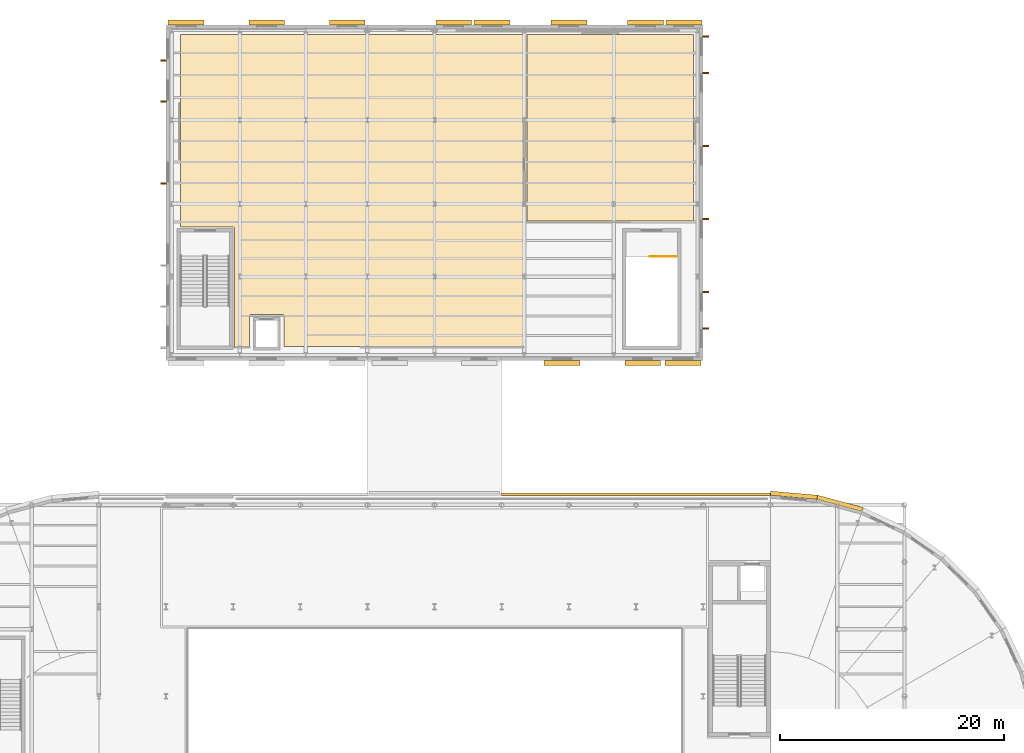
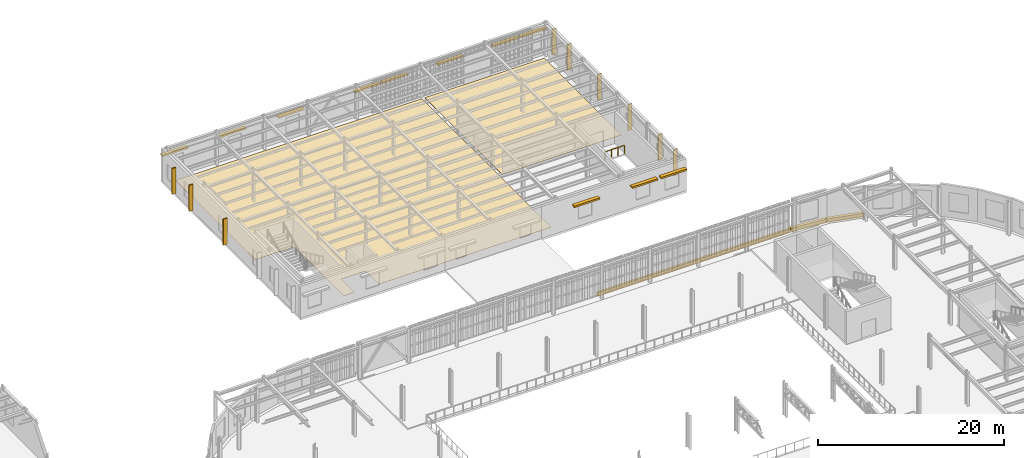
# One storey, part 88 of 91: 20 shading devices, 5 coverings, 1 railing.
"""IFC4 building model written with IfcOpenShell, lengths in metres."""

from ifc_helpers import new_model, si_unit, direction, frame, origin, origin_2d, place, context, subcontext, project, spatial, polyline, rectangle, circle, outline, extrude, material, layer, layer_set, type_object, element, save


model = new_model("IFC4")

# Units and contexts
model_context = context("Model", 3, precision=1e-05, world=origin(), true_north=direction((0.0, 1.0)))
body_context = subcontext(model_context, "Body", "Model", "MODEL_VIEW")
ifc_project = project(units=[si_unit("LENGTHUNIT", "METRE"), si_unit("AREAUNIT", "SQUARE_METRE"), si_unit("VOLUMEUNIT", "CUBIC_METRE"), si_unit("PLANEANGLEUNIT", "RADIAN"), si_unit("MASSUNIT", "GRAM", prefix="KILO")], contexts=[model_context])

# Site, building, storey
site_placement = place(None, origin())
site = spatial("IfcSite", under=ifc_project, at=site_placement, CompositionType="ELEMENT")
building_placement = place(site_placement, origin())
building = spatial("IfcBuilding", under=site, at=building_placement, Name="Kolvaren Corner Interchange", CompositionType="ELEMENT")
storey_placement = place(building_placement, frame((0.0, 0.0, 6.0)))
storey = spatial("IfcBuildingStorey", under=building, at=storey_placement, Name="L02", CompositionType="ELEMENT", Elevation=6.0)

# Coverings
ifc_material_1 = material(Name="Anti-Slip Heavy-Duty Epoxy Resin Flooring")
ifc_layer_1 = layer(ifc_material_1, 0.01806640625)
ifc_layer_set_1 = layer_set([ifc_layer_1], Name="Anti-Slip Heavy-Duty Epoxy Resin Flooring")
covering_type_1 = type_object("IfcCoveringType", Name="COV-FLR-RES18", PredefinedType="FLOORING", material=ifc_layer_set_1)
covering_1_placement = place(storey_placement, origin())
element("IfcCovering", 1, at=covering_1_placement, inside=storey, type_object=covering_type_1, Name="L02 Upper Cycle Storage Mezzanine Floor Finish", PredefinedType="FLOORING", context=body_context, shape_type="SweptSolid", body=[
    extrude(outline(polyline([(67.280029296875, 113.1201171875), (67.280029296875, 95.929931640625), (72.050048828125, 95.929931640625), (72.094482421875, 95.91650390625), (72.123779296875, 95.880615234375), (72.1298828125, 85.280029296875), (73.469970703125, 85.280029296875), (73.469970703125, 88.050048828125), (73.505615234375, 88.116455078125), (73.550048828125, 88.1298828125), (76.449951171875, 88.1298828125), (76.506591796875, 88.106689453125), (76.530029296875, 88.050048828125), (76.530029296875, 85.280029296875), (97.919921875, 85.280029296875), (97.919921875, 113.1201171875), (67.280029296875, 113.1201171875)])), origin(), (0.0, 0.0, 1.0), 0.01806640625),
])
ifc_material_2 = material(Name="Polished Niger Delta Granite Terrazzo Flooring", Category="masonry")
ifc_layer_2 = layer(ifc_material_2, 0.030029296875)
ifc_layer_set_2 = layer_set([ifc_layer_2], Name="Polished Niger Delta Granite Terrazzo Flooring")
covering_type_2 = type_object("IfcCoveringType", Name="COV-FLR-TER30", PredefinedType="FLOORING", material=ifc_layer_set_2)
covering_2_placement = place(storey_placement, origin())
element("IfcCovering", 2, at=covering_2_placement, inside=storey, type_object=covering_type_2, Name="L02 E-Bike Charging Lounge Floor Finish", PredefinedType="FLOORING", context=body_context, shape_type="SweptSolid", body=[
    extrude(outline(polyline([(98.280029296875, 96.47998046875), (113.1201171875, 96.47998046875), (113.1201171875, 113.1201171875), (98.280029296875, 113.1201171875), (98.280029296875, 96.47998046875)])), origin(), (0.0, 0.0, 1.0), 0.030029296875),
])
ifc_material_3 = material(Name="Glazed White Terracotta Fascia Cladding", Category="masonry")
ifc_layer_3 = layer(ifc_material_3, 0.0400390625)
ifc_layer_set_3 = layer_set([ifc_layer_3], Name="Glazed White Terracotta Fascia Cladding")
covering_type_3 = type_object("IfcCoveringType", Name="COV-WHT-CLAD40", PredefinedType="CLADDING", material=ifc_layer_set_3)
covering_3_placement = place(storey_placement, frame((0.0, 0.0, -0.320068359375)))
element("IfcCovering", 3, at=covering_3_placement, inside=storey, type_object=covering_type_3, Name="Racetrack North East L02 White Band", PredefinedType="CLADDING", context=body_context, shape_type="SweptSolid", body=[
    extrude(outline(polyline([(96.0, 71.93994140625), (120.0, 71.93994140625), (120.0, 72.179931640625), (96.0, 72.179931640625), (96.0, 71.93994140625)])), origin(), (0.0, 0.0, 1.0), 0.5),
])
covering_4_placement = place(storey_placement, frame((0.0, 0.0, -0.320068359375)))
element("IfcCovering", 4, at=covering_4_placement, inside=storey, type_object=covering_type_3, Name="Racetrack East L02 Sweeping White Edge Band 17", PredefinedType="CLADDING", context=body_context, shape_type="SweptSolid", body=[
    extrude(outline(polyline([(128.19482421875, 70.514892578125), (128.32470703125, 70.8720703125), (124.2265625, 71.97021484375), (124.16064453125, 71.595947265625), (128.19482421875, 70.514892578125)])), origin(), (0.0, 0.0, 1.0), 0.5),
])
covering_5_placement = place(storey_placement, frame((0.0, 0.0, -0.320068359375)))
element("IfcCovering", 5, at=covering_5_placement, inside=storey, type_object=covering_type_3, Name="Racetrack East L02 Sweeping White Edge Band 18", PredefinedType="CLADDING", context=body_context, shape_type="SweptSolid", body=[
    extrude(outline(polyline([(124.16064453125, 71.595947265625), (124.2265625, 71.97021484375), (120.0, 72.340087890625), (120.0, 71.9599609375), (124.16064453125, 71.595947265625)])), origin(), (0.0, 0.0, 1.0), 0.5),
])

# Railing
ifc_material_4 = material(Name="Powder-Coated Steel Stairwell Guardrail", Category="steel")
railing_type = type_object("IfcRailingType", Name="RLT-STAIR-GRD1120", PredefinedType="GUARDRAIL", material=ifc_material_4)
railing_placement = place(storey_placement, frame((111.639892578125, 93.31005859375, 0.0)))
element("IfcRailing", 6, at=railing_placement, inside=storey, type_object=railing_type, Name="Cycle Hub East Mezzanine Exit Stair L02 Landing Edge Guardrail", PredefinedType="GUARDRAIL", context=body_context, shape_type="SweptSolid", body=[
    extrude(circle(Radius=0.02392578125, at=origin_2d()), frame((0.0, 0.0, 1.09619140625), z_axis=(-1.0, 0.0, 0.0), x_axis=(0.0, -1.0, 0.0)), (0.0, 0.0, 1.0), 2.3798828125),
    extrude(circle(Radius=0.02001953125, at=origin_2d()), origin(), (0.0, 0.0, 1.0), 1.072021484375),
    extrude(circle(Radius=0.02001953125, at=origin_2d()), frame((-0.793212890625, 0.0, 0.0)), (0.0, 0.0, 1.0), 1.072021484375),
    extrude(circle(Radius=0.02001953125, at=origin_2d()), frame((-1.586669921875, 0.0, 0.0)), (0.0, 0.0, 1.0), 1.072021484375),
    extrude(circle(Radius=0.02001953125, at=origin_2d()), frame((-2.3798828125, 0.0, 0.0)), (0.0, 0.0, 1.0), 1.072021484375),
])

# Shading devices
ifc_material_5 = material(Name="Glazed Ochre Ceramic Baguette Solar Louvre")
shading_device_type_1 = type_object("IfcShadingDeviceType", Name="SHD-BAG-H450", PredefinedType="JALOUSIE", material=ifc_material_5)
for number, where, z_axis, x_axis, name in (
    (7, (101.39990234375, 83.7900390625, 2.93017578125), (0.0, 0.0, 1.0), (1.0, 0.0, 0.0), "L02 Ceramic Solar Shading 0268"),
    (8, (108.60009765625, 83.7900390625, 2.93017578125), (0.0, 0.0, 1.0), (1.0, 0.0, 0.0), "L02 Ceramic Solar Shading 0269"),
    (9, (112.199951171875, 83.7900390625, 2.93017578125), (0.0, 0.0, 1.0), (1.0, 0.0, 0.0), "L02 Ceramic Solar Shading 0270"),
    (10, (112.28564453125, 114.2099609375, 2.93017578125), (0.0, 0.0, 1.0), (-1.0, 0.0, 0.0), "L02 Ceramic Solar Shading 0279"),
    (11, (108.857177734375, 114.2099609375, 2.93017578125), (0.0, 0.0, 1.0), (-1.0, 0.0, 0.0), "L02 Ceramic Solar Shading 0280"),
    (12, (102.0, 114.2099609375, 2.93017578125), (0.0, 0.0, 1.0), (-1.0, 0.0, 0.0), "L02 Ceramic Solar Shading 0281"),
    (13, (95.142822265625, 114.2099609375, 2.93017578125), (0.0, 0.0, 1.0), (-1.0, 0.0, 0.0), "L02 Ceramic Solar Shading 0282"),
    (14, (91.71435546875, 114.2099609375, 2.93017578125), (0.0, 0.0, 1.0), (-1.0, 0.0, 0.0), "L02 Ceramic Solar Shading 0283"),
    (15, (82.199951171875, 114.2099609375, 2.93017578125), (0.0, 0.0, 1.0), (-1.0, 0.0, 0.0), "L02 Ceramic Solar Shading 0284"),
    (16, (75.0, 114.2099609375, 2.93017578125), (0.0, 0.0, 1.0), (-1.0, 0.0, 0.0), "L02 Ceramic Solar Shading 0285"),
    (17, (67.800048828125, 114.2099609375, 2.93017578125), (0.0, 0.0, 1.0), (-1.0, 0.0, 0.0), "L02 Ceramic Solar Shading 0286"),
):
    element("IfcShadingDevice", number, at=place(storey_placement, frame(where, z_axis=z_axis, x_axis=x_axis)), inside=storey, type_object=shading_device_type_1, Name=name, PredefinedType="JALOUSIE", context=body_context, shape_type="SweptSolid", body=[
        extrude(rectangle(XDim=3.199951171875, YDim=0.449951171875, at=origin_2d()), origin(), (0.0, 0.0, 1.0), 0.219970703125),
    ])
ifc_material_6 = material(Name="Vertical Terracotta Solar Fin", Category="masonry")
shading_device_type_2 = type_object("IfcShadingDeviceType", Name="SHD-FIN-V500", PredefinedType="USERDEFINED", material=ifc_material_6)
for number, where, z_axis, x_axis, name in (
    (18, (114.235107421875, 86.861083984375, 0.199951171875), (0.0, 0.0, 1.0), (0.0, 1.0, 0.0), "L02 Ceramic Solar Shading 0273"),
    (19, (114.235107421875, 90.123291015625, 0.199951171875), (0.0, 0.0, 1.0), (0.0, 1.0, 0.0), "L02 Ceramic Solar Shading 0274"),
    (20, (114.235107421875, 96.647705078125, 0.199951171875), (0.0, 0.0, 1.0), (0.0, 1.0, 0.0), "L02 Ceramic Solar Shading 0275"),
    (21, (114.235107421875, 103.172119140625, 0.199951171875), (0.0, 0.0, 1.0), (0.0, 1.0, 0.0), "L02 Ceramic Solar Shading 0276"),
    (22, (114.235107421875, 109.69677734375, 0.199951171875), (0.0, 0.0, 1.0), (0.0, 1.0, 0.0), "L02 Ceramic Solar Shading 0277"),
    (23, (114.235107421875, 112.958984375, 0.199951171875), (0.0, 0.0, 1.0), (0.0, 1.0, 0.0), "L02 Ceramic Solar Shading 0278"),
    (24, (65.764892578125, 110.8349609375, 0.199951171875), (0.0, 0.0, 1.0), (0.0, -1.0, 0.0), "L02 Ceramic Solar Shading 0287"),
    (25, (65.764892578125, 107.1650390625, 0.199951171875), (0.0, 0.0, 1.0), (0.0, -1.0, 0.0), "L02 Ceramic Solar Shading 0288"),
    (26, (65.764892578125, 99.824951171875, 0.199951171875), (0.0, 0.0, 1.0), (0.0, -1.0, 0.0), "L02 Ceramic Solar Shading 0289"),
):
    element("IfcShadingDevice", number, at=place(storey_placement, frame(where, z_axis=z_axis, x_axis=x_axis)), inside=storey, type_object=shading_device_type_2, Name=name, ObjectType="SUNSHADE", PredefinedType="USERDEFINED", context=body_context, shape_type="SweptSolid", body=[
        extrude(rectangle(XDim=0.139892578125, YDim=0.5, at=origin_2d()), origin(), (0.0, 0.0, 1.0), 3.39990234375),
    ])

save(model, "model.ifc")
